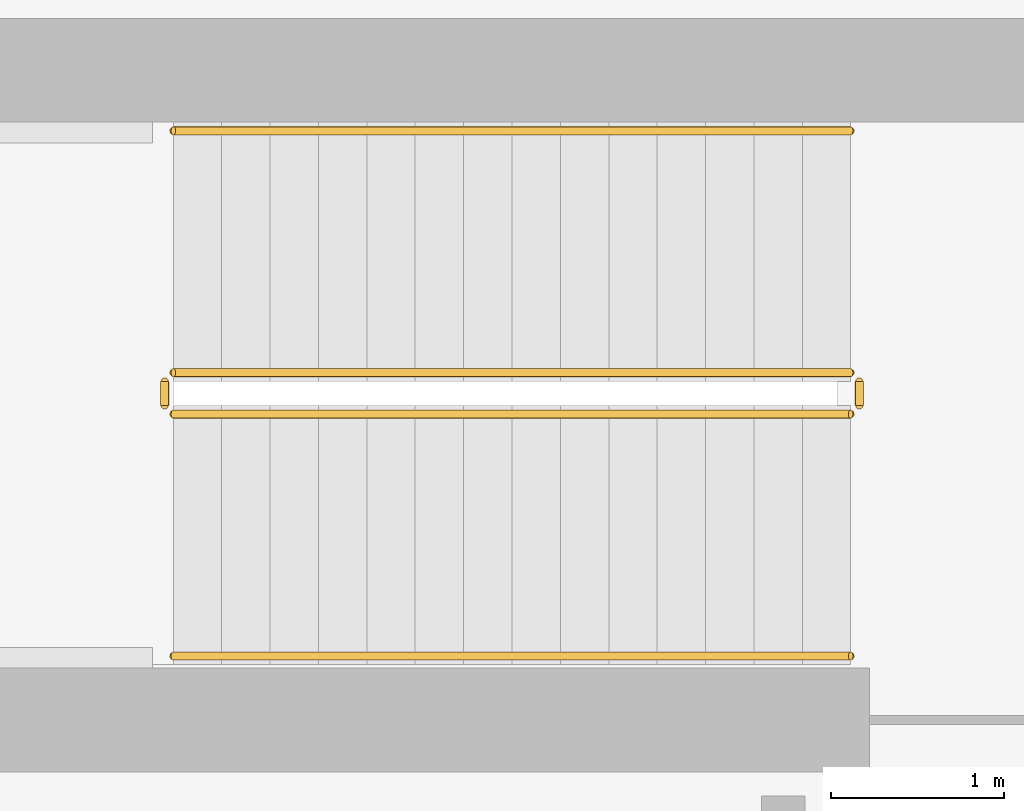
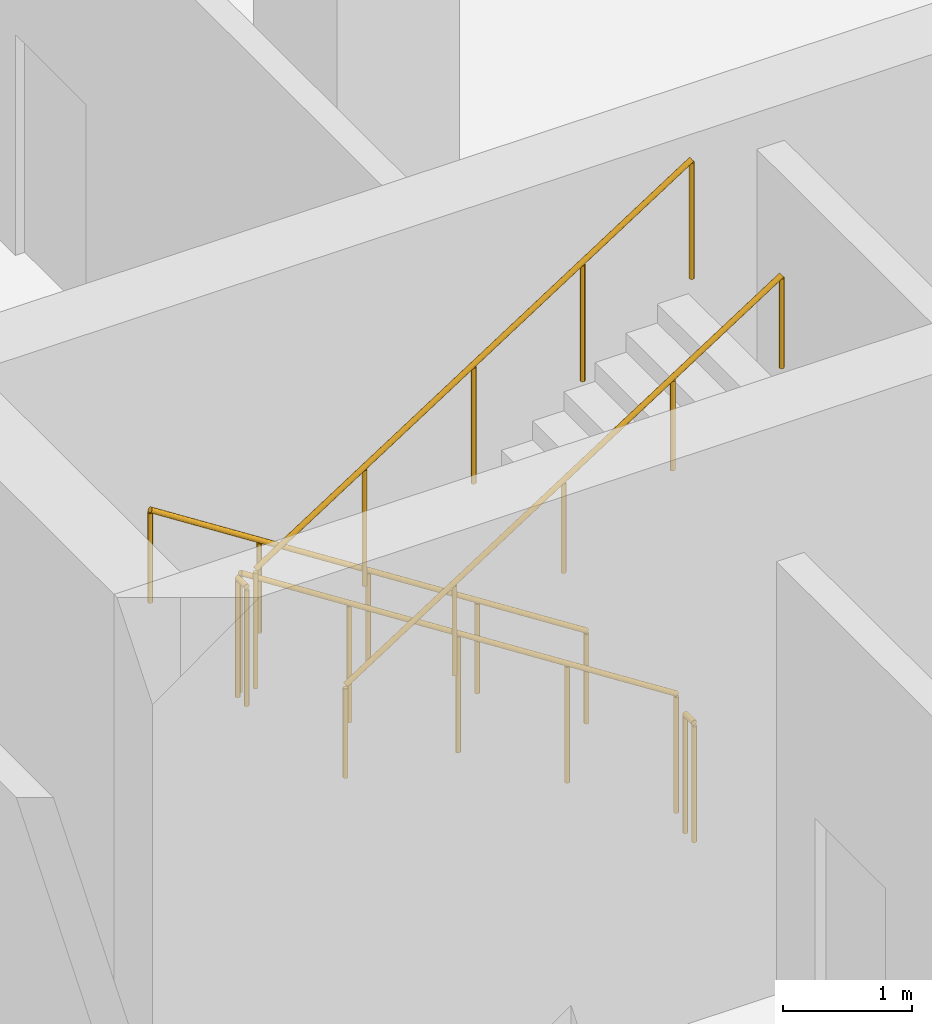
# One storey, part 19 of 24: 6 railings.
"""IFC4 building model written with IfcOpenShell, lengths in metres."""

from ifc_helpers import new_model, si_unit, derived_unit, direction, frame, origin, origin_2d, place, context, subcontext, project, spatial, circle, extrude, material, type_object, element, save


model = new_model("IFC4")

# Units and contexts
model_context = context("Model", 3, precision=1e-05, world=origin(), true_north=direction((0.0, 1.0)))
body_context = subcontext(model_context, "Body", "Model", "MODEL_VIEW")
ifc_project = project(units=[si_unit("LENGTHUNIT", "METRE"), si_unit("AREAUNIT", "SQUARE_METRE"), si_unit("VOLUMEUNIT", "CUBIC_METRE"), si_unit("PLANEANGLEUNIT", "RADIAN"), si_unit("MASSUNIT", "GRAM", prefix="KILO"), derived_unit("THERMALTRANSMITTANCEUNIT", [(si_unit("POWERUNIT", "WATT"), 1), (si_unit("LENGTHUNIT", "METRE"), -2), (si_unit("THERMODYNAMICTEMPERATUREUNIT", "KELVIN"), -1)])], contexts=[model_context])

# Site, building, storey
site_placement = place(None, origin())
site = spatial("IfcSite", under=ifc_project, at=site_placement, CompositionType="ELEMENT")
building_placement = place(site_placement, origin())
building = spatial("IfcBuilding", under=site, at=building_placement, Name="Kivonza Crest Hotel", CompositionType="ELEMENT")
storey_placement = place(building_placement, origin())
storey = spatial("IfcBuildingStorey", under=building, at=storey_placement, Name="L00", CompositionType="ELEMENT", Elevation=0.0)

# Railings
ifc_material_1 = material(Name="Brushed stainless steel handrail", Category="steel")
railing_type_1 = type_object("IfcRailingType", Name="RL-HAND-900", PredefinedType="HANDRAIL", material=ifc_material_1)
railing_1_placement = place(storey_placement, frame((12.239990234375, 16.949951171875, 0.179931640625)))
element("IfcRailing", 1, at=railing_1_placement, inside=storey, type_object=railing_type_1, Name="L00 ST-T1-S stair handrail 1", PredefinedType="HANDRAIL", context=body_context, shape_type="SweptSolid", body=[
    extrude(circle(Radius=0.02392578125, at=origin_2d()), frame((0.0, 0.0, 0.8759765625), z_axis=(-0.841171666519, 0.0, 0.540768182723), x_axis=(0.0, -1.0, 0.0)), (0.0, 0.0, 1.0), 4.66015625),
    extrude(circle(Radius=0.02099609375, at=origin_2d()), origin(), (0.0, 0.0, 1.0), 0.851806640625),
    extrude(circle(Radius=0.02099609375, at=origin_2d()), frame((-0.97998046875, 0.0, 0.6298828125)), (0.0, 0.0, 1.0), 0.851806640625),
    extrude(circle(Radius=0.02099609375, at=origin_2d()), frame((-1.9599609375, 0.0, 1.260009765625)), (0.0, 0.0, 1.0), 0.851806640625),
    extrude(circle(Radius=0.02099609375, at=origin_2d()), frame((-2.93994140625, 0.0, 1.89013671875)), (0.0, 0.0, 1.0), 0.851806640625),
    extrude(circle(Radius=0.02099609375, at=origin_2d()), frame((-3.919921875, 0.0, 2.52001953125)), (0.0, 0.0, 1.0), 0.851806640625),
])
railing_2_placement = place(storey_placement, frame((8.320068359375, 13.909912109375, 2.8798828125)))
element("IfcRailing", 2, at=railing_2_placement, inside=storey, type_object=railing_type_1, Name="L00 ST-T1-S stair handrail 2", PredefinedType="HANDRAIL", context=body_context, shape_type="SweptSolid", body=[
    extrude(circle(Radius=0.02392578125, at=origin_2d()), frame((0.0, 0.0, 0.8759765625), z_axis=(0.841171666519, 0.0, 0.540768182723), x_axis=(0.0, 1.0, 0.0)), (0.0, 0.0, 1.0), 4.66015625),
    extrude(circle(Radius=0.02099609375, at=origin_2d()), origin(), (0.0, 0.0, 1.0), 0.851806640625),
    extrude(circle(Radius=0.02099609375, at=origin_2d()), frame((0.97998046875, 0.0, 0.6298828125)), (0.0, 0.0, 1.0), 0.851806640625),
    extrude(circle(Radius=0.02099609375, at=origin_2d()), frame((1.9599609375, 0.0, 1.260009765625)), (0.0, 0.0, 1.0), 0.851806640625),
    extrude(circle(Radius=0.02099609375, at=origin_2d()), frame((2.93994140625, 0.0, 1.89013671875)), (0.0, 0.0, 1.0), 0.851806640625),
    extrude(circle(Radius=0.02099609375, at=origin_2d()), frame((3.919921875, 0.0, 2.52001953125)), (0.0, 0.0, 1.0), 0.851806640625),
])
ifc_material_2 = material(Name="Painted steel balustrade", Category="steel")
railing_type_2 = type_object("IfcRailingType", Name="RL-STAIR-1150", PredefinedType="BALUSTRADE", material=ifc_material_2)
railing_3_placement = place(storey_placement, frame((12.239990234375, 15.550048828125, 0.179931640625)))
element("IfcRailing", 3, at=railing_3_placement, inside=storey, type_object=railing_type_2, Name="L00 ST-T1-S stair guard 1", PredefinedType="BALUSTRADE", context=body_context, shape_type="SweptSolid", body=[
    extrude(circle(Radius=0.02392578125, at=origin_2d()), frame((0.0, 0.0, 1.1259765625), z_axis=(-0.841171666519, 0.0, 0.540768182723), x_axis=(0.0, -1.0, 0.0)), (0.0, 0.0, 1.0), 4.66015625),
    extrude(circle(Radius=0.02099609375, at=origin_2d()), origin(), (0.0, 0.0, 1.0), 1.101806640625),
    extrude(circle(Radius=0.02099609375, at=origin_2d()), frame((-0.97998046875, 0.0, 0.6298828125)), (0.0, 0.0, 1.0), 1.101806640625),
    extrude(circle(Radius=0.02099609375, at=origin_2d()), frame((-1.9599609375, 0.0, 1.260009765625)), (0.0, 0.0, 1.0), 1.101806640625),
    extrude(circle(Radius=0.02099609375, at=origin_2d()), frame((-2.93994140625, 0.0, 1.89013671875)), (0.0, 0.0, 1.0), 1.101806640625),
    extrude(circle(Radius=0.02099609375, at=origin_2d()), frame((-3.919921875, 0.0, 2.52001953125)), (0.0, 0.0, 1.0), 1.101806640625),
])
railing_4_placement = place(storey_placement, frame((8.27001953125, 15.5, 2.699951171875)))
element("IfcRailing", 4, at=railing_4_placement, inside=storey, type_object=railing_type_2, Name="L00 ST-T1-S stair guard 2", PredefinedType="BALUSTRADE", context=body_context, shape_type="SweptSolid", body=[
    extrude(circle(Radius=0.02392578125, at=origin_2d()), frame((0.0, 0.0, 1.1259765625), z_axis=(0.0, -1.0, 0.0), x_axis=(1.0, 0.0, 0.0)), (0.0, 0.0, 1.0), 0.139892578125),
    extrude(circle(Radius=0.02099609375, at=origin_2d()), origin(), (0.0, 0.0, 1.0), 1.101806640625),
    extrude(circle(Radius=0.02099609375, at=origin_2d()), frame((0.0, -0.139892578125, 0.0)), (0.0, 0.0, 1.0), 1.101806640625),
])
railing_5_placement = place(storey_placement, frame((8.320068359375, 15.31005859375, 2.8798828125)))
element("IfcRailing", 5, at=railing_5_placement, inside=storey, type_object=railing_type_2, Name="L00 ST-T1-S stair guard 3", PredefinedType="BALUSTRADE", context=body_context, shape_type="SweptSolid", body=[
    extrude(circle(Radius=0.02392578125, at=origin_2d()), frame((0.0, 0.0, 1.1259765625), z_axis=(0.841171666519, 0.0, 0.540768182723), x_axis=(0.0, 1.0, 0.0)), (0.0, 0.0, 1.0), 4.66015625),
    extrude(circle(Radius=0.02099609375, at=origin_2d()), origin(), (0.0, 0.0, 1.0), 1.101806640625),
    extrude(circle(Radius=0.02099609375, at=origin_2d()), frame((0.97998046875, 0.0, 0.6298828125)), (0.0, 0.0, 1.0), 1.101806640625),
    extrude(circle(Radius=0.02099609375, at=origin_2d()), frame((1.9599609375, 0.0, 1.260009765625)), (0.0, 0.0, 1.0), 1.101806640625),
    extrude(circle(Radius=0.02099609375, at=origin_2d()), frame((2.93994140625, 0.0, 1.89013671875)), (0.0, 0.0, 1.0), 1.101806640625),
    extrude(circle(Radius=0.02099609375, at=origin_2d()), frame((3.919921875, 0.0, 2.52001953125)), (0.0, 0.0, 1.0), 1.101806640625),
])
railing_6_placement = place(storey_placement, frame((12.2900390625, 15.5, 0.0)))
element("IfcRailing", 6, at=railing_6_placement, inside=storey, type_object=railing_type_2, Name="L00 ST-T1-S stair guard 4", PredefinedType="BALUSTRADE", context=body_context, shape_type="SweptSolid", body=[
    extrude(circle(Radius=0.02392578125, at=origin_2d()), frame((0.0, 0.0, 1.1259765625), z_axis=(0.0, -1.0, 0.0), x_axis=(1.0, 0.0, 0.0)), (0.0, 0.0, 1.0), 0.139892578125),
    extrude(circle(Radius=0.02099609375, at=origin_2d()), origin(), (0.0, 0.0, 1.0), 1.101806640625),
    extrude(circle(Radius=0.02099609375, at=origin_2d()), frame((0.0, -0.139892578125, 0.0)), (0.0, 0.0, 1.0), 1.101806640625),
])

save(model, "model.ifc")
